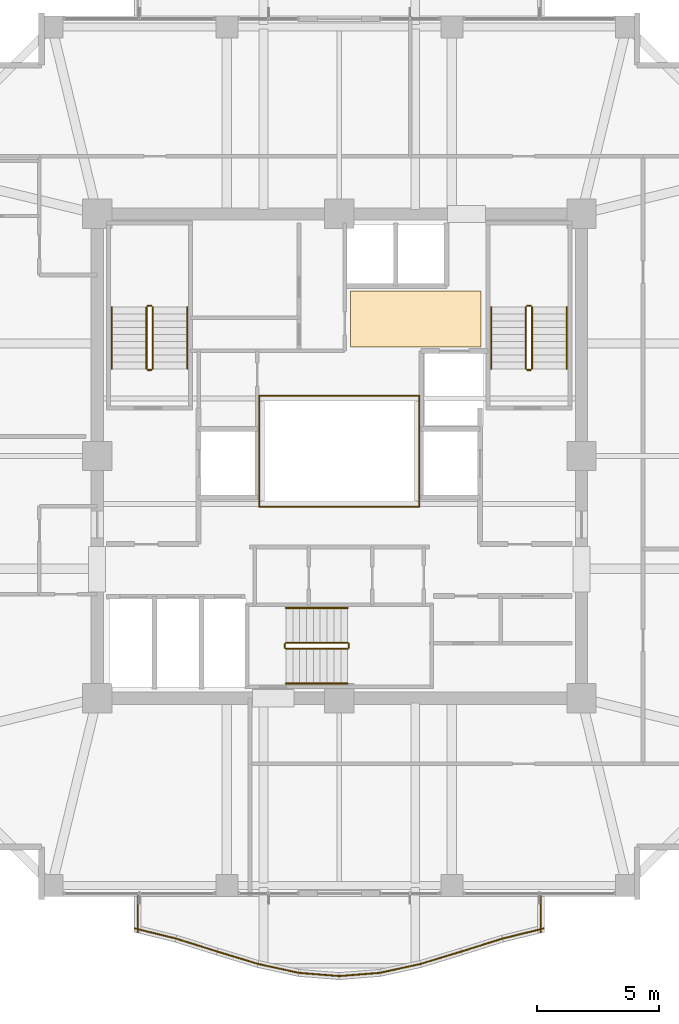
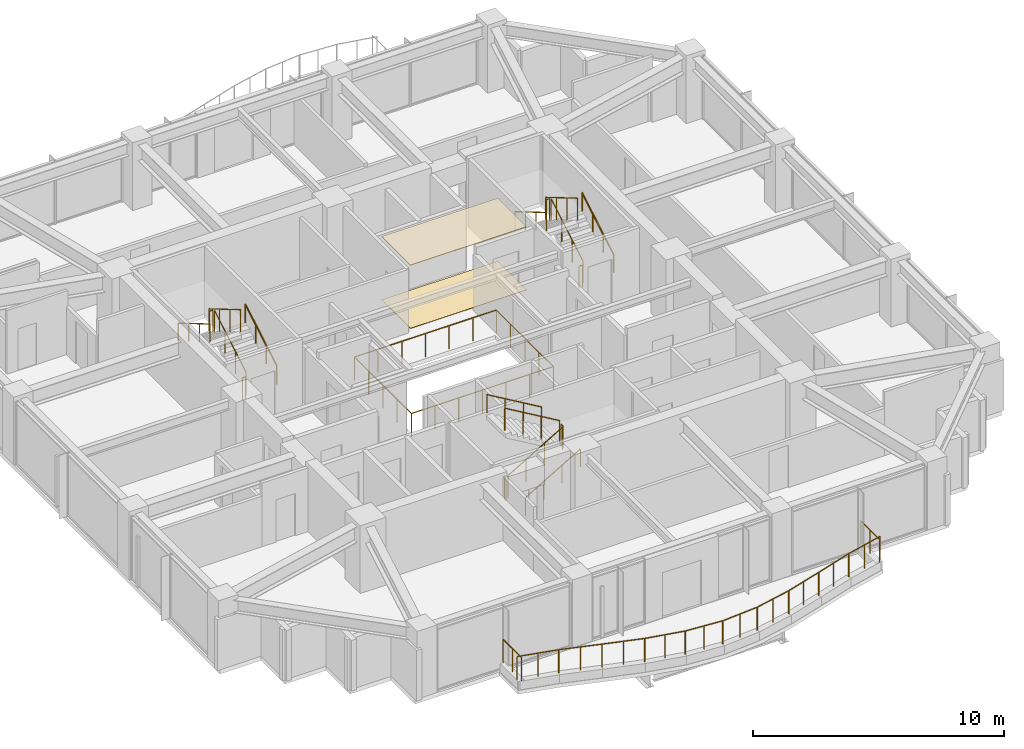
# One storey, part 30 of 31: 34 railings, 2 coverings.
"""IFC4 building model written with IfcOpenShell, lengths in metres."""

from ifc_helpers import new_model, si_unit, direction, frame, origin, origin_2d, place, context, subcontext, project, spatial, polyline, circle, outline, extrude, material, layer, layer_set, type_object, element, save


model = new_model("IFC4")

# Units and contexts
model_context = context("Model", 3, precision=1e-05, world=origin(), true_north=direction((0.0, 1.0)))
body_context = subcontext(model_context, "Body", "Model", "MODEL_VIEW")
ifc_project = project(units=[si_unit("LENGTHUNIT", "METRE"), si_unit("AREAUNIT", "SQUARE_METRE"), si_unit("VOLUMEUNIT", "CUBIC_METRE"), si_unit("PLANEANGLEUNIT", "RADIAN"), si_unit("MASSUNIT", "GRAM", prefix="KILO")], contexts=[model_context])

# Site, building, storey
site_placement = place(None, origin())
site = spatial("IfcSite", under=ifc_project, at=site_placement, CompositionType="ELEMENT")
building_placement = place(site_placement, origin())
building = spatial("IfcBuilding", under=site, at=building_placement, Name="Kolvaren Belvedere", CompositionType="ELEMENT")
storey_placement = place(building_placement, frame((0.0, 0.0, 138.199951171875)))
storey = spatial("IfcBuildingStorey", under=building, at=storey_placement, Name="L40", CompositionType="ELEMENT", Elevation=138.199951171875)

# Coverings
ifc_material_1 = material(Name="Acoustic perforated gypsum board", Category="gypsum")
ifc_layer_1 = layer(ifc_material_1, 0.02490234375)
ifc_layer_set_1 = layer_set([ifc_layer_1], Name="Acoustic perforated gypsum board")
covering_type_1 = type_object("IfcCoveringType", Name="COV-CEIL-GYP", PredefinedType="CEILING", material=ifc_layer_set_1)
covering_1_placement = place(storey_placement, frame((0.0, 0.0, 3.074951171875)))
element("IfcCovering", 1, at=covering_1_placement, inside=storey, type_object=covering_type_1, Name="L40 Lift Lobby Acoustic Baffle Ceiling", PredefinedType="CEILING", context=body_context, shape_type="SweptSolid", body=[
    extrude(outline(polyline([(0.449951171875, 4.449951171875), (5.800048828125, 4.449951171875), (5.800048828125, 6.75), (0.449951171875, 6.75), (0.449951171875, 4.449951171875)])), origin(), (0.0, 0.0, 1.0), 0.025146484375),
])
ifc_material_2 = material(Name="Engineered Pacific white oak", Category="timber")
ifc_layer_2 = layer(ifc_material_2, 0.02001953125)
ifc_layer_set_2 = layer_set([ifc_layer_2], Name="Engineered Pacific white oak")
covering_type_2 = type_object("IfcCoveringType", Name="COV-FLR-OAK", PredefinedType="FLOORING", material=ifc_layer_set_2)
covering_2_placement = place(storey_placement, origin())
element("IfcCovering", 2, at=covering_2_placement, inside=storey, type_object=covering_type_2, Name="L40 Lift Lobby Finish Flooring", PredefinedType="FLOORING", context=body_context, shape_type="SweptSolid", body=[
    extrude(outline(polyline([(0.449951171875, 4.449951171875), (5.800048828125, 4.449951171875), (5.800048828125, 6.75), (0.449951171875, 6.75), (0.449951171875, 4.449951171875)])), origin(), (0.0, 0.0, 1.0), 0.02001953125),
])

# Railings
ifc_material_3 = material(Name="Laminated glass & stainless-steel cap rail", Category="steel")
railing_type_1 = type_object("IfcRailingType", Name="RL-ATR-1150", PredefinedType="BALUSTRADE", material=ifc_material_3)
for number, where, name in (
    (3, (-3.27001953125, 2.469970703125, 0.0), "L40 Atrium North Glass Balustrade"),
    (4, (-3.27001953125, -2.070068359375, 0.0), "L40 Atrium South Glass Balustrade"),
):
    element("IfcRailing", number, at=place(storey_placement, frame(where)), inside=storey, type_object=railing_type_1, Name=name, PredefinedType="BALUSTRADE", context=body_context, shape_type="SweptSolid", body=[
        extrude(circle(Radius=0.02392578125, at=origin_2d()), frame((0.0, 0.0, 1.1259765625), z_axis=(1.0, 0.0, 0.0), x_axis=(0.0, 1.0, 0.0)), (0.0, 0.0, 1.0), 6.5400390625),
        extrude(circle(Radius=0.02099609375, at=origin_2d()), origin(), (0.0, 0.0, 1.0), 1.101806640625),
        extrude(circle(Radius=0.02099609375, at=origin_2d()), frame((1.090087890625, 0.0, 0.0)), (0.0, 0.0, 1.0), 1.101806640625),
        extrude(circle(Radius=0.02099609375, at=origin_2d()), frame((2.179931640625, 0.0, 0.0)), (0.0, 0.0, 1.0), 1.101806640625),
        extrude(circle(Radius=0.02099609375, at=origin_2d()), frame((3.27001953125, 0.0, 0.0)), (0.0, 0.0, 1.0), 1.101806640625),
        extrude(circle(Radius=0.02099609375, at=origin_2d()), frame((4.360107421875, 0.0, 0.0)), (0.0, 0.0, 1.0), 1.101806640625),
        extrude(circle(Radius=0.02099609375, at=origin_2d()), frame((5.449951171875, 0.0, 0.0)), (0.0, 0.0, 1.0), 1.101806640625),
        extrude(circle(Radius=0.02099609375, at=origin_2d()), frame((6.5400390625, 0.0, 0.0)), (0.0, 0.0, 1.0), 1.101806640625),
    ])
for number, where, name in (
    (5, (-3.27001953125, -2.070068359375, 0.0), "L40 Atrium West Glass Balustrade"),
    (6, (3.27001953125, -2.070068359375, 0.0), "L40 Atrium East Glass Balustrade"),
):
    element("IfcRailing", number, at=place(storey_placement, frame(where)), inside=storey, type_object=railing_type_1, Name=name, PredefinedType="BALUSTRADE", context=body_context, shape_type="SweptSolid", body=[
        extrude(circle(Radius=0.02392578125, at=origin_2d()), frame((0.0, 0.0, 1.1259765625), z_axis=(0.0, 1.0, 0.0), x_axis=(-1.0, 0.0, 0.0)), (0.0, 0.0, 1.0), 4.5400390625),
        extrude(circle(Radius=0.02099609375, at=origin_2d()), origin(), (0.0, 0.0, 1.0), 1.101806640625),
        extrude(circle(Radius=0.02099609375, at=origin_2d()), frame((0.0, 1.135009765625, 0.0)), (0.0, 0.0, 1.0), 1.101806640625),
        extrude(circle(Radius=0.02099609375, at=origin_2d()), frame((0.0, 2.27001953125, 0.0)), (0.0, 0.0, 1.0), 1.101806640625),
        extrude(circle(Radius=0.02099609375, at=origin_2d()), frame((0.0, 3.405029296875, 0.0)), (0.0, 0.0, 1.0), 1.101806640625),
        extrude(circle(Radius=0.02099609375, at=origin_2d()), frame((0.0, 4.5400390625, 0.0)), (0.0, 0.0, 1.0), 1.101806640625),
    ])
ifc_material_4 = material(Name="Anodised pale-metal aluminium & laminated glass guard", Category="aluminium")
railing_type_2 = type_object("IfcRailingType", Name="RL-GUARD-1150", PredefinedType="GUARDRAIL", material=ifc_material_4)
railing_1_placement = place(storey_placement, frame((-8.36181640625, -19.310791015625, 0.400146484375)))
element("IfcRailing", 7, at=railing_1_placement, inside=storey, type_object=railing_type_2, Name="L40 Exterior Deck Safety Guard BAL-S-1", PredefinedType="GUARDRAIL", context=body_context, shape_type="SweptSolid", body=[
    extrude(circle(Radius=0.02392578125, at=origin_2d()), frame((0.0, 0.0, 1.1259765625), z_axis=(0.970950361768, -0.239280995867, 0.0), x_axis=(0.239280995867, 0.970950361768, 0.0)), (0.0, 0.0, 1.0), 1.73046875),
    extrude(circle(Radius=0.02099609375, at=origin_2d()), origin(), (0.0, 0.0, 1.0), 1.101806640625),
    extrude(circle(Radius=0.02099609375, at=origin_2d()), frame((0.840087890625, -0.20703125, 0.0)), (0.0, 0.0, 1.0), 1.101806640625),
    extrude(circle(Radius=0.02099609375, at=origin_2d()), frame((1.68017578125, -0.4140625, 0.0)), (0.0, 0.0, 1.0), 1.101806640625),
])
railing_2_placement = place(storey_placement, frame((-6.672119140625, -19.7275390625, 0.400146484375)))
element("IfcRailing", 8, at=railing_2_placement, inside=storey, type_object=railing_type_2, Name="L40 Exterior Deck Safety Guard BAL-S-2", PredefinedType="GUARDRAIL", context=body_context, shape_type="SweptSolid", body=[
    extrude(circle(Radius=0.02392578125, at=origin_2d()), frame((0.0, 0.0, 1.1259765625), z_axis=(0.954057149461, -0.299624691176, 0.0), x_axis=(0.299624691176, 0.954057149461, 0.0)), (0.0, 0.0, 1.0), 1.7607421875),
    extrude(circle(Radius=0.02099609375, at=origin_2d()), origin(), (0.0, 0.0, 1.0), 1.101806640625),
    extrude(circle(Radius=0.02099609375, at=origin_2d()), frame((0.83984375, -0.263671875, 0.0)), (0.0, 0.0, 1.0), 1.101806640625),
    extrude(circle(Radius=0.02099609375, at=origin_2d()), frame((1.679931640625, -0.527587890625, 0.0)), (0.0, 0.0, 1.0), 1.101806640625),
])
railing_3_placement = place(storey_placement, frame((-4.993408203125, -20.254638671875, 0.400146484375)))
element("IfcRailing", 9, at=railing_3_placement, inside=storey, type_object=railing_type_2, Name="L40 Exterior Deck Safety Guard BAL-S-3", PredefinedType="GUARDRAIL", context=body_context, shape_type="SweptSolid", body=[
    extrude(circle(Radius=0.02392578125, at=origin_2d()), frame((0.0, 0.0, 1.1259765625), z_axis=(0.956721015747, -0.291006697567, 0.0), x_axis=(0.291006697567, 0.956721015747, 0.0)), (0.0, 0.0, 1.0), 1.755859375),
    extrude(circle(Radius=0.02099609375, at=origin_2d()), origin(), (0.0, 0.0, 1.0), 1.101806640625),
    extrude(circle(Radius=0.02099609375, at=origin_2d()), frame((0.83984375, -0.25537109375, 0.0)), (0.0, 0.0, 1.0), 1.101806640625),
    extrude(circle(Radius=0.02099609375, at=origin_2d()), frame((1.679931640625, -0.510986328125, 0.0)), (0.0, 0.0, 1.0), 1.101806640625),
])
railing_4_placement = place(storey_placement, frame((-3.32568359375, -20.762451171875, 0.400146484375)))
element("IfcRailing", 10, at=railing_4_placement, inside=storey, type_object=railing_type_2, Name="L40 Exterior Deck Safety Guard BAL-S-4", PredefinedType="GUARDRAIL", context=body_context, shape_type="SweptSolid", body=[
    extrude(circle(Radius=0.02392578125, at=origin_2d()), frame((0.0, 0.0, 1.1259765625), z_axis=(0.976876857632, -0.213802724545, 0.0), x_axis=(0.213802724545, 0.976876857632, 0.0)), (0.0, 0.0, 1.0), 1.7197265625),
    extrude(circle(Radius=0.02099609375, at=origin_2d()), origin(), (0.0, 0.0, 1.0), 1.101806640625),
    extrude(circle(Radius=0.02099609375, at=origin_2d()), frame((0.83984375, -0.183837890625, 0.0)), (0.0, 0.0, 1.0), 1.101806640625),
    extrude(circle(Radius=0.02099609375, at=origin_2d()), frame((1.679931640625, -0.36767578125, 0.0)), (0.0, 0.0, 1.0), 1.101806640625),
])
railing_5_placement = place(storey_placement, frame((-1.667236328125, -21.126953125, 0.400146484375)))
element("IfcRailing", 11, at=railing_5_placement, inside=storey, type_object=railing_type_2, Name="L40 Exterior Deck Safety Guard BAL-S-5", PredefinedType="GUARDRAIL", context=body_context, shape_type="SweptSolid", body=[
    extrude(circle(Radius=0.02392578125, at=origin_2d()), frame((0.0, 0.0, 1.1259765625), z_axis=(0.99685522818, -0.079244268248, 0.0), x_axis=(0.079244268248, 0.99685522818, 0.0)), (0.0, 0.0, 1.0), 1.685302734375),
    extrude(circle(Radius=0.02099609375, at=origin_2d()), origin(), (0.0, 0.0, 1.0), 1.101806640625),
    extrude(circle(Radius=0.02099609375, at=origin_2d()), frame((0.83984375, -0.06689453125, 0.0)), (0.0, 0.0, 1.0), 1.101806640625),
    extrude(circle(Radius=0.02099609375, at=origin_2d()), frame((1.679931640625, -0.133544921875, 0.0)), (0.0, 0.0, 1.0), 1.101806640625),
])
railing_6_placement = place(storey_placement, frame((-0.0126953125, -21.260498046875, 0.400146484375)))
element("IfcRailing", 12, at=railing_6_placement, inside=storey, type_object=railing_type_2, Name="L40 Exterior Deck Safety Guard BAL-S-6", PredefinedType="GUARDRAIL", context=body_context, shape_type="SweptSolid", body=[
    extrude(circle(Radius=0.02392578125, at=origin_2d()), frame((0.0, 0.0, 1.1259765625), z_axis=(0.99685522818, 0.079244268248, 0.0), x_axis=(-0.079244268248, 0.99685522818, 0.0)), (0.0, 0.0, 1.0), 1.685302734375),
    extrude(circle(Radius=0.02099609375, at=origin_2d()), origin(), (0.0, 0.0, 1.0), 1.101806640625),
    extrude(circle(Radius=0.02099609375, at=origin_2d()), frame((0.83984375, 0.06689453125, 0.0)), (0.0, 0.0, 1.0), 1.101806640625),
    extrude(circle(Radius=0.02099609375, at=origin_2d()), frame((1.679931640625, 0.133544921875, 0.0)), (0.0, 0.0, 1.0), 1.101806640625),
])
railing_7_placement = place(storey_placement, frame((1.645751953125, -21.130126953125, 0.400146484375)))
element("IfcRailing", 13, at=railing_7_placement, inside=storey, type_object=railing_type_2, Name="L40 Exterior Deck Safety Guard BAL-S-7", PredefinedType="GUARDRAIL", context=body_context, shape_type="SweptSolid", body=[
    extrude(circle(Radius=0.02392578125, at=origin_2d()), frame((0.0, 0.0, 1.1259765625), z_axis=(0.976876857632, 0.213802724545, 0.0), x_axis=(-0.213802724545, 0.976876857632, 0.0)), (0.0, 0.0, 1.0), 1.7197265625),
    extrude(circle(Radius=0.02099609375, at=origin_2d()), origin(), (0.0, 0.0, 1.0), 1.101806640625),
    extrude(circle(Radius=0.02099609375, at=origin_2d()), frame((0.83984375, 0.183837890625, 0.0)), (0.0, 0.0, 1.0), 1.101806640625),
    extrude(circle(Radius=0.02099609375, at=origin_2d()), frame((1.679931640625, 0.36767578125, 0.0)), (0.0, 0.0, 1.0), 1.101806640625),
])
railing_8_placement = place(storey_placement, frame((3.3134765625, -20.765625, 0.400146484375)))
element("IfcRailing", 14, at=railing_8_placement, inside=storey, type_object=railing_type_2, Name="L40 Exterior Deck Safety Guard BAL-S-8", PredefinedType="GUARDRAIL", context=body_context, shape_type="SweptSolid", body=[
    extrude(circle(Radius=0.02392578125, at=origin_2d()), frame((0.0, 0.0, 1.1259765625), z_axis=(0.956721015747, 0.291006697567, 0.0), x_axis=(-0.291006697567, 0.956721015747, 0.0)), (0.0, 0.0, 1.0), 1.755859375),
    extrude(circle(Radius=0.02099609375, at=origin_2d()), origin(), (0.0, 0.0, 1.0), 1.101806640625),
    extrude(circle(Radius=0.02099609375, at=origin_2d()), frame((0.83984375, 0.25537109375, 0.0)), (0.0, 0.0, 1.0), 1.101806640625),
    extrude(circle(Radius=0.02099609375, at=origin_2d()), frame((1.679931640625, 0.510986328125, 0.0)), (0.0, 0.0, 1.0), 1.101806640625),
])
railing_9_placement = place(storey_placement, frame((4.9921875, -20.255126953125, 0.400146484375)))
element("IfcRailing", 15, at=railing_9_placement, inside=storey, type_object=railing_type_2, Name="L40 Exterior Deck Safety Guard BAL-S-9", PredefinedType="GUARDRAIL", context=body_context, shape_type="SweptSolid", body=[
    extrude(circle(Radius=0.02392578125, at=origin_2d()), frame((0.0, 0.0, 1.1259765625), z_axis=(0.954057149461, 0.299624691176, 0.0), x_axis=(-0.299624691176, 0.954057149461, 0.0)), (0.0, 0.0, 1.0), 1.7607421875),
    extrude(circle(Radius=0.02099609375, at=origin_2d()), origin(), (0.0, 0.0, 1.0), 1.101806640625),
    extrude(circle(Radius=0.02099609375, at=origin_2d()), frame((0.83984375, 0.263671875, 0.0)), (0.0, 0.0, 1.0), 1.101806640625),
    extrude(circle(Radius=0.02099609375, at=origin_2d()), frame((1.679931640625, 0.527587890625, 0.0)), (0.0, 0.0, 1.0), 1.101806640625),
])
railing_10_placement = place(storey_placement, frame((6.681640625, -19.724853515625, 0.400146484375)))
element("IfcRailing", 16, at=railing_10_placement, inside=storey, type_object=railing_type_2, Name="L40 Exterior Deck Safety Guard BAL-S-10", PredefinedType="GUARDRAIL", context=body_context, shape_type="SweptSolid", body=[
    extrude(circle(Radius=0.02392578125, at=origin_2d()), frame((0.0, 0.0, 1.1259765625), z_axis=(0.970950361768, 0.239280995867, 0.0), x_axis=(-0.239280995867, 0.970950361768, 0.0)), (0.0, 0.0, 1.0), 1.73046875),
    extrude(circle(Radius=0.02099609375, at=origin_2d()), origin(), (0.0, 0.0, 1.0), 1.101806640625),
    extrude(circle(Radius=0.02099609375, at=origin_2d()), frame((0.840087890625, 0.20703125, 0.0)), (0.0, 0.0, 1.0), 1.101806640625),
    extrude(circle(Radius=0.02099609375, at=origin_2d()), frame((1.68017578125, 0.4140625, 0.0)), (0.0, 0.0, 1.0), 1.101806640625),
])
railing_11_placement = place(storey_placement, frame((8.239990234375, -19.46630859375, 0.400146484375)))
element("IfcRailing", 17, at=railing_11_placement, inside=storey, type_object=railing_type_2, Name="L40 Exterior Deck Safety Guard BAL-S-11", PredefinedType="GUARDRAIL", context=body_context, shape_type="SweptSolid", body=[
    extrude(circle(Radius=0.02392578125, at=origin_2d()), frame((0.0, 0.0, 1.1259765625), z_axis=(0.0, 1.0, 0.0), x_axis=(-1.0, 0.0, 0.0)), (0.0, 0.0, 1.0), 1.46630859375),
    extrude(circle(Radius=0.02099609375, at=origin_2d()), origin(), (0.0, 0.0, 1.0), 1.101806640625),
    extrude(circle(Radius=0.02099609375, at=origin_2d()), frame((0.0, 0.733154296875, 0.0)), (0.0, 0.0, 1.0), 1.101806640625),
    extrude(circle(Radius=0.02099609375, at=origin_2d()), frame((0.0, 1.46630859375, 0.0)), (0.0, 0.0, 1.0), 1.101806640625),
])
railing_12_placement = place(storey_placement, frame((-8.239990234375, -18.0, 0.400146484375)))
element("IfcRailing", 18, at=railing_12_placement, inside=storey, type_object=railing_type_2, Name="L40 Exterior Deck Safety Guard BAL-S-22", PredefinedType="GUARDRAIL", context=body_context, shape_type="SweptSolid", body=[
    extrude(circle(Radius=0.02392578125, at=origin_2d()), frame((0.0, 0.0, 1.1259765625), z_axis=(0.0, -1.0, 0.0), x_axis=(1.0, 0.0, 0.0)), (0.0, 0.0, 1.0), 1.46630859375),
    extrude(circle(Radius=0.02099609375, at=origin_2d()), origin(), (0.0, 0.0, 1.0), 1.101806640625),
    extrude(circle(Radius=0.02099609375, at=origin_2d()), frame((0.0, -0.733154296875, 0.0)), (0.0, 0.0, 1.0), 1.101806640625),
    extrude(circle(Radius=0.02099609375, at=origin_2d()), frame((0.0, -1.46630859375, 0.0)), (0.0, 0.0, 1.0), 1.101806640625),
])
ifc_material_5 = material(Name="Brushed stainless-steel handrail", Category="steel")
railing_type_3 = type_object("IfcRailingType", Name="RL-HANDRAIL-920", PredefinedType="HANDRAIL", material=ifc_material_5)
railing_13_placement = place(storey_placement, frame((-6.2099609375, 3.570068359375, 0.1650390625)))
element("IfcRailing", 19, at=railing_13_placement, inside=storey, type_object=railing_type_3, Name="L40 ST-1 stair handrail 1", PredefinedType="HANDRAIL", context=body_context, shape_type="SweptSolid", body=[
    extrude(circle(Radius=0.02392578125, at=origin_2d()), frame((0.0, 0.0, 0.8759765625), z_axis=(0.0, 0.86152411907, 0.507716645641), x_axis=(-1.0, 0.0, 0.0)), (0.0, 0.0, 1.0), 2.925048828125),
    extrude(circle(Radius=0.02099609375, at=origin_2d()), origin(), (0.0, 0.0, 1.0), 0.851806640625),
    extrude(circle(Radius=0.02099609375, at=origin_2d()), frame((0.0, 0.840087890625, 0.4951171875)), (0.0, 0.0, 1.0), 0.851806640625),
    extrude(circle(Radius=0.02099609375, at=origin_2d()), frame((0.0, 1.679931640625, 0.989990234375)), (0.0, 0.0, 1.0), 0.851806640625),
    extrude(circle(Radius=0.02099609375, at=origin_2d()), frame((0.0, 2.52001953125, 1.485107421875)), (0.0, 0.0, 1.0), 0.851806640625),
])
railing_14_placement = place(storey_placement, frame((-9.300048828125, 6.090087890625, 1.81494140625)))
element("IfcRailing", 20, at=railing_14_placement, inside=storey, type_object=railing_type_3, Name="L40 ST-1 stair handrail 2", PredefinedType="HANDRAIL", context=body_context, shape_type="SweptSolid", body=[
    extrude(circle(Radius=0.02392578125, at=origin_2d()), frame((0.0, 0.0, 0.8759765625), z_axis=(0.0, -0.86152411907, 0.507716645641), x_axis=(1.0, 0.0, 0.0)), (0.0, 0.0, 1.0), 2.925048828125),
    extrude(circle(Radius=0.02099609375, at=origin_2d()), origin(), (0.0, 0.0, 1.0), 0.851806640625),
    extrude(circle(Radius=0.02099609375, at=origin_2d()), frame((0.0, -0.840087890625, 0.4951171875)), (0.0, 0.0, 1.0), 0.851806640625),
    extrude(circle(Radius=0.02099609375, at=origin_2d()), frame((0.0, -1.679931640625, 0.989990234375)), (0.0, 0.0, 1.0), 0.851806640625),
    extrude(circle(Radius=0.02099609375, at=origin_2d()), frame((0.0, -2.52001953125, 1.485107421875)), (0.0, 0.0, 1.0), 0.851806640625),
])
railing_15_placement = place(storey_placement, frame((9.300048828125, 3.570068359375, 0.1650390625)))
element("IfcRailing", 21, at=railing_15_placement, inside=storey, type_object=railing_type_3, Name="L40 ST-2 stair handrail 1", PredefinedType="HANDRAIL", context=body_context, shape_type="SweptSolid", body=[
    extrude(circle(Radius=0.02392578125, at=origin_2d()), frame((0.0, 0.0, 0.8759765625), z_axis=(0.0, 0.86152411907, 0.507716645641), x_axis=(-1.0, 0.0, 0.0)), (0.0, 0.0, 1.0), 2.925048828125),
    extrude(circle(Radius=0.02099609375, at=origin_2d()), origin(), (0.0, 0.0, 1.0), 0.851806640625),
    extrude(circle(Radius=0.02099609375, at=origin_2d()), frame((0.0, 0.840087890625, 0.4951171875)), (0.0, 0.0, 1.0), 0.851806640625),
    extrude(circle(Radius=0.02099609375, at=origin_2d()), frame((0.0, 1.679931640625, 0.989990234375)), (0.0, 0.0, 1.0), 0.851806640625),
    extrude(circle(Radius=0.02099609375, at=origin_2d()), frame((0.0, 2.52001953125, 1.485107421875)), (0.0, 0.0, 1.0), 0.851806640625),
])
railing_16_placement = place(storey_placement, frame((6.2099609375, 6.090087890625, 1.81494140625)))
element("IfcRailing", 22, at=railing_16_placement, inside=storey, type_object=railing_type_3, Name="L40 ST-2 stair handrail 2", PredefinedType="HANDRAIL", context=body_context, shape_type="SweptSolid", body=[
    extrude(circle(Radius=0.02392578125, at=origin_2d()), frame((0.0, 0.0, 0.8759765625), z_axis=(0.0, -0.86152411907, 0.507716645641), x_axis=(1.0, 0.0, 0.0)), (0.0, 0.0, 1.0), 2.925048828125),
    extrude(circle(Radius=0.02099609375, at=origin_2d()), origin(), (0.0, 0.0, 1.0), 0.851806640625),
    extrude(circle(Radius=0.02099609375, at=origin_2d()), frame((0.0, -0.840087890625, 0.4951171875)), (0.0, 0.0, 1.0), 0.851806640625),
    extrude(circle(Radius=0.02099609375, at=origin_2d()), frame((0.0, -1.679931640625, 0.989990234375)), (0.0, 0.0, 1.0), 0.851806640625),
    extrude(circle(Radius=0.02099609375, at=origin_2d()), frame((0.0, -2.52001953125, 1.485107421875)), (0.0, 0.0, 1.0), 0.851806640625),
])
railing_17_placement = place(storey_placement, frame((-2.179931640625, -9.300048828125, 0.1650390625)))
element("IfcRailing", 23, at=railing_17_placement, inside=storey, type_object=railing_type_3, Name="L40 ST-3 stair handrail 1", PredefinedType="HANDRAIL", context=body_context, shape_type="SweptSolid", body=[
    extrude(circle(Radius=0.02392578125, at=origin_2d()), frame((0.0, 0.0, 0.8759765625), z_axis=(0.86152411907, 0.0, 0.507716645641), x_axis=(0.0, 1.0, 0.0)), (0.0, 0.0, 1.0), 2.925048828125),
    extrude(circle(Radius=0.02099609375, at=origin_2d()), origin(), (0.0, 0.0, 1.0), 0.851806640625),
    extrude(circle(Radius=0.02099609375, at=origin_2d()), frame((0.840087890625, 0.0, 0.4951171875)), (0.0, 0.0, 1.0), 0.851806640625),
    extrude(circle(Radius=0.02099609375, at=origin_2d()), frame((1.679931640625, 0.0, 0.989990234375)), (0.0, 0.0, 1.0), 0.851806640625),
    extrude(circle(Radius=0.02099609375, at=origin_2d()), frame((2.52001953125, 0.0, 1.485107421875)), (0.0, 0.0, 1.0), 0.851806640625),
])
railing_18_placement = place(storey_placement, frame((0.340087890625, -6.2099609375, 1.81494140625)))
element("IfcRailing", 24, at=railing_18_placement, inside=storey, type_object=railing_type_3, Name="L40 ST-3 stair handrail 2", PredefinedType="HANDRAIL", context=body_context, shape_type="SweptSolid", body=[
    extrude(circle(Radius=0.02392578125, at=origin_2d()), frame((0.0, 0.0, 0.8759765625), z_axis=(-0.86152411907, 0.0, 0.507716645641), x_axis=(0.0, -1.0, 0.0)), (0.0, 0.0, 1.0), 2.925048828125),
    extrude(circle(Radius=0.02099609375, at=origin_2d()), origin(), (0.0, 0.0, 1.0), 0.851806640625),
    extrude(circle(Radius=0.02099609375, at=origin_2d()), frame((-0.840087890625, 0.0, 0.4951171875)), (0.0, 0.0, 1.0), 0.851806640625),
    extrude(circle(Radius=0.02099609375, at=origin_2d()), frame((-1.679931640625, 0.0, 0.989990234375)), (0.0, 0.0, 1.0), 0.851806640625),
    extrude(circle(Radius=0.02099609375, at=origin_2d()), frame((-2.52001953125, 0.0, 1.485107421875)), (0.0, 0.0, 1.0), 0.851806640625),
])
ifc_material_6 = material(Name="Painted tubular steel stair guard", Category="steel")
railing_type_4 = type_object("IfcRailingType", Name="RL-STGUARD-1100", PredefinedType="GUARDRAIL", material=ifc_material_6)
railing_19_placement = place(storey_placement, frame((-7.6298828125, 3.570068359375, 0.1650390625)))
element("IfcRailing", 25, at=railing_19_placement, inside=storey, type_object=railing_type_4, Name="L40 ST-1 stair guard 1", PredefinedType="GUARDRAIL", context=body_context, shape_type="SweptSolid", body=[
    extrude(circle(Radius=0.02392578125, at=origin_2d()), frame((0.0, 0.0, 1.076171875), z_axis=(0.0, 0.86152411907, 0.507716645641), x_axis=(-1.0, 0.0, 0.0)), (0.0, 0.0, 1.0), 2.925048828125),
    extrude(circle(Radius=0.02099609375, at=origin_2d()), origin(), (0.0, 0.0, 1.0), 1.052001953125),
    extrude(circle(Radius=0.02099609375, at=origin_2d()), frame((0.0, 0.840087890625, 0.4951171875)), (0.0, 0.0, 1.0), 1.052001953125),
    extrude(circle(Radius=0.02099609375, at=origin_2d()), frame((0.0, 1.679931640625, 0.989990234375)), (0.0, 0.0, 1.0), 1.052001953125),
    extrude(circle(Radius=0.02099609375, at=origin_2d()), frame((0.0, 2.52001953125, 1.485107421875)), (0.0, 0.0, 1.0), 1.052001953125),
])
railing_20_placement = place(storey_placement, frame((-7.679931640625, 6.139892578125, 1.650146484375)))
element("IfcRailing", 26, at=railing_20_placement, inside=storey, type_object=railing_type_4, Name="L40 ST-1 stair guard 2", PredefinedType="GUARDRAIL", context=body_context, shape_type="SweptSolid", body=[
    extrude(circle(Radius=0.02392578125, at=origin_2d()), frame((0.0, 0.0, 1.076171875), z_axis=(-1.0, 0.0, 0.0), x_axis=(0.0, -1.0, 0.0)), (0.0, 0.0, 1.0), 0.150146484375),
    extrude(circle(Radius=0.02099609375, at=origin_2d()), origin(), (0.0, 0.0, 1.0), 1.052001953125),
    extrude(circle(Radius=0.02099609375, at=origin_2d()), frame((-0.150146484375, 0.0, 0.0)), (0.0, 0.0, 1.0), 1.052001953125),
])
railing_21_placement = place(storey_placement, frame((-7.8798828125, 6.090087890625, 1.81494140625)))
element("IfcRailing", 27, at=railing_21_placement, inside=storey, type_object=railing_type_4, Name="L40 ST-1 stair guard 3", PredefinedType="GUARDRAIL", context=body_context, shape_type="SweptSolid", body=[
    extrude(circle(Radius=0.02392578125, at=origin_2d()), frame((0.0, 0.0, 1.076171875), z_axis=(0.0, -0.86152411907, 0.507716645641), x_axis=(1.0, 0.0, 0.0)), (0.0, 0.0, 1.0), 2.925048828125),
    extrude(circle(Radius=0.02099609375, at=origin_2d()), origin(), (0.0, 0.0, 1.0), 1.052001953125),
    extrude(circle(Radius=0.02099609375, at=origin_2d()), frame((0.0, -0.840087890625, 0.4951171875)), (0.0, 0.0, 1.0), 1.052001953125),
    extrude(circle(Radius=0.02099609375, at=origin_2d()), frame((0.0, -1.679931640625, 0.989990234375)), (0.0, 0.0, 1.0), 1.052001953125),
    extrude(circle(Radius=0.02099609375, at=origin_2d()), frame((0.0, -2.52001953125, 1.485107421875)), (0.0, 0.0, 1.0), 1.052001953125),
])
railing_22_placement = place(storey_placement, frame((-7.679931640625, 3.52001953125, 0.0)))
element("IfcRailing", 28, at=railing_22_placement, inside=storey, type_object=railing_type_4, Name="L40 ST-1 stair guard 4", PredefinedType="GUARDRAIL", context=body_context, shape_type="SweptSolid", body=[
    extrude(circle(Radius=0.02392578125, at=origin_2d()), frame((0.0, 0.0, 1.076171875), z_axis=(-1.0, 0.0, 0.0), x_axis=(0.0, -1.0, 0.0)), (0.0, 0.0, 1.0), 0.150146484375),
    extrude(circle(Radius=0.02099609375, at=origin_2d()), origin(), (0.0, 0.0, 1.0), 1.052001953125),
    extrude(circle(Radius=0.02099609375, at=origin_2d()), frame((-0.150146484375, 0.0, 0.0)), (0.0, 0.0, 1.0), 1.052001953125),
])
railing_23_placement = place(storey_placement, frame((7.8798828125, 3.570068359375, 0.1650390625)))
element("IfcRailing", 29, at=railing_23_placement, inside=storey, type_object=railing_type_4, Name="L40 ST-2 stair guard 1", PredefinedType="GUARDRAIL", context=body_context, shape_type="SweptSolid", body=[
    extrude(circle(Radius=0.02392578125, at=origin_2d()), frame((0.0, 0.0, 1.076171875), z_axis=(0.0, 0.86152411907, 0.507716645641), x_axis=(-1.0, 0.0, 0.0)), (0.0, 0.0, 1.0), 2.925048828125),
    extrude(circle(Radius=0.02099609375, at=origin_2d()), origin(), (0.0, 0.0, 1.0), 1.052001953125),
    extrude(circle(Radius=0.02099609375, at=origin_2d()), frame((0.0, 0.840087890625, 0.4951171875)), (0.0, 0.0, 1.0), 1.052001953125),
    extrude(circle(Radius=0.02099609375, at=origin_2d()), frame((0.0, 1.679931640625, 0.989990234375)), (0.0, 0.0, 1.0), 1.052001953125),
    extrude(circle(Radius=0.02099609375, at=origin_2d()), frame((0.0, 2.52001953125, 1.485107421875)), (0.0, 0.0, 1.0), 1.052001953125),
])
railing_24_placement = place(storey_placement, frame((7.830078125, 6.139892578125, 1.650146484375)))
element("IfcRailing", 30, at=railing_24_placement, inside=storey, type_object=railing_type_4, Name="L40 ST-2 stair guard 2", PredefinedType="GUARDRAIL", context=body_context, shape_type="SweptSolid", body=[
    extrude(circle(Radius=0.02392578125, at=origin_2d()), frame((0.0, 0.0, 1.076171875), z_axis=(-1.0, 0.0, 0.0), x_axis=(0.0, -1.0, 0.0)), (0.0, 0.0, 1.0), 0.150146484375),
    extrude(circle(Radius=0.02099609375, at=origin_2d()), origin(), (0.0, 0.0, 1.0), 1.052001953125),
    extrude(circle(Radius=0.02099609375, at=origin_2d()), frame((-0.150146484375, 0.0, 0.0)), (0.0, 0.0, 1.0), 1.052001953125),
])
railing_25_placement = place(storey_placement, frame((7.6298828125, 6.090087890625, 1.81494140625)))
element("IfcRailing", 31, at=railing_25_placement, inside=storey, type_object=railing_type_4, Name="L40 ST-2 stair guard 3", PredefinedType="GUARDRAIL", context=body_context, shape_type="SweptSolid", body=[
    extrude(circle(Radius=0.02392578125, at=origin_2d()), frame((0.0, 0.0, 1.076171875), z_axis=(0.0, -0.86152411907, 0.507716645641), x_axis=(1.0, 0.0, 0.0)), (0.0, 0.0, 1.0), 2.925048828125),
    extrude(circle(Radius=0.02099609375, at=origin_2d()), origin(), (0.0, 0.0, 1.0), 1.052001953125),
    extrude(circle(Radius=0.02099609375, at=origin_2d()), frame((0.0, -0.840087890625, 0.4951171875)), (0.0, 0.0, 1.0), 1.052001953125),
    extrude(circle(Radius=0.02099609375, at=origin_2d()), frame((0.0, -1.679931640625, 0.989990234375)), (0.0, 0.0, 1.0), 1.052001953125),
    extrude(circle(Radius=0.02099609375, at=origin_2d()), frame((0.0, -2.52001953125, 1.485107421875)), (0.0, 0.0, 1.0), 1.052001953125),
])
railing_26_placement = place(storey_placement, frame((7.830078125, 3.52001953125, 0.0)))
element("IfcRailing", 32, at=railing_26_placement, inside=storey, type_object=railing_type_4, Name="L40 ST-2 stair guard 4", PredefinedType="GUARDRAIL", context=body_context, shape_type="SweptSolid", body=[
    extrude(circle(Radius=0.02392578125, at=origin_2d()), frame((0.0, 0.0, 1.076171875), z_axis=(-1.0, 0.0, 0.0), x_axis=(0.0, -1.0, 0.0)), (0.0, 0.0, 1.0), 0.150146484375),
    extrude(circle(Radius=0.02099609375, at=origin_2d()), origin(), (0.0, 0.0, 1.0), 1.052001953125),
    extrude(circle(Radius=0.02099609375, at=origin_2d()), frame((-0.150146484375, 0.0, 0.0)), (0.0, 0.0, 1.0), 1.052001953125),
])
railing_27_placement = place(storey_placement, frame((-2.179931640625, -7.8798828125, 0.1650390625)))
element("IfcRailing", 33, at=railing_27_placement, inside=storey, type_object=railing_type_4, Name="L40 ST-3 stair guard 1", PredefinedType="GUARDRAIL", context=body_context, shape_type="SweptSolid", body=[
    extrude(circle(Radius=0.02392578125, at=origin_2d()), frame((0.0, 0.0, 1.076171875), z_axis=(0.86152411907, 0.0, 0.507716645641), x_axis=(0.0, 1.0, 0.0)), (0.0, 0.0, 1.0), 2.925048828125),
    extrude(circle(Radius=0.02099609375, at=origin_2d()), origin(), (0.0, 0.0, 1.0), 1.052001953125),
    extrude(circle(Radius=0.02099609375, at=origin_2d()), frame((0.840087890625, 0.0, 0.4951171875)), (0.0, 0.0, 1.0), 1.052001953125),
    extrude(circle(Radius=0.02099609375, at=origin_2d()), frame((1.679931640625, 0.0, 0.989990234375)), (0.0, 0.0, 1.0), 1.052001953125),
    extrude(circle(Radius=0.02099609375, at=origin_2d()), frame((2.52001953125, 0.0, 1.485107421875)), (0.0, 0.0, 1.0), 1.052001953125),
])
railing_28_placement = place(storey_placement, frame((0.389892578125, -7.830078125, 1.650146484375)))
element("IfcRailing", 34, at=railing_28_placement, inside=storey, type_object=railing_type_4, Name="L40 ST-3 stair guard 2", PredefinedType="GUARDRAIL", context=body_context, shape_type="SweptSolid", body=[
    extrude(circle(Radius=0.02392578125, at=origin_2d()), frame((0.0, 0.0, 1.076171875), z_axis=(0.0, 1.0, 0.0), x_axis=(-1.0, 0.0, 0.0)), (0.0, 0.0, 1.0), 0.150146484375),
    extrude(circle(Radius=0.02099609375, at=origin_2d()), origin(), (0.0, 0.0, 1.0), 1.052001953125),
    extrude(circle(Radius=0.02099609375, at=origin_2d()), frame((0.0, 0.150146484375, 0.0)), (0.0, 0.0, 1.0), 1.052001953125),
])
railing_29_placement = place(storey_placement, frame((0.340087890625, -7.6298828125, 1.81494140625)))
element("IfcRailing", 35, at=railing_29_placement, inside=storey, type_object=railing_type_4, Name="L40 ST-3 stair guard 3", PredefinedType="GUARDRAIL", context=body_context, shape_type="SweptSolid", body=[
    extrude(circle(Radius=0.02392578125, at=origin_2d()), frame((0.0, 0.0, 1.076171875), z_axis=(-0.86152411907, 0.0, 0.507716645641), x_axis=(0.0, -1.0, 0.0)), (0.0, 0.0, 1.0), 2.925048828125),
    extrude(circle(Radius=0.02099609375, at=origin_2d()), origin(), (0.0, 0.0, 1.0), 1.052001953125),
    extrude(circle(Radius=0.02099609375, at=origin_2d()), frame((-0.840087890625, 0.0, 0.4951171875)), (0.0, 0.0, 1.0), 1.052001953125),
    extrude(circle(Radius=0.02099609375, at=origin_2d()), frame((-1.679931640625, 0.0, 0.989990234375)), (0.0, 0.0, 1.0), 1.052001953125),
    extrude(circle(Radius=0.02099609375, at=origin_2d()), frame((-2.52001953125, 0.0, 1.485107421875)), (0.0, 0.0, 1.0), 1.052001953125),
])
railing_30_placement = place(storey_placement, frame((-2.22998046875, -7.830078125, 0.0)))
element("IfcRailing", 36, at=railing_30_placement, inside=storey, type_object=railing_type_4, Name="L40 ST-3 stair guard 4", PredefinedType="GUARDRAIL", context=body_context, shape_type="SweptSolid", body=[
    extrude(circle(Radius=0.02392578125, at=origin_2d()), frame((0.0, 0.0, 1.076171875), z_axis=(0.0, 1.0, 0.0), x_axis=(-1.0, 0.0, 0.0)), (0.0, 0.0, 1.0), 0.150146484375),
    extrude(circle(Radius=0.02099609375, at=origin_2d()), origin(), (0.0, 0.0, 1.0), 1.052001953125),
    extrude(circle(Radius=0.02099609375, at=origin_2d()), frame((0.0, 0.150146484375, 0.0)), (0.0, 0.0, 1.0), 1.052001953125),
])

save(model, "model.ifc")
